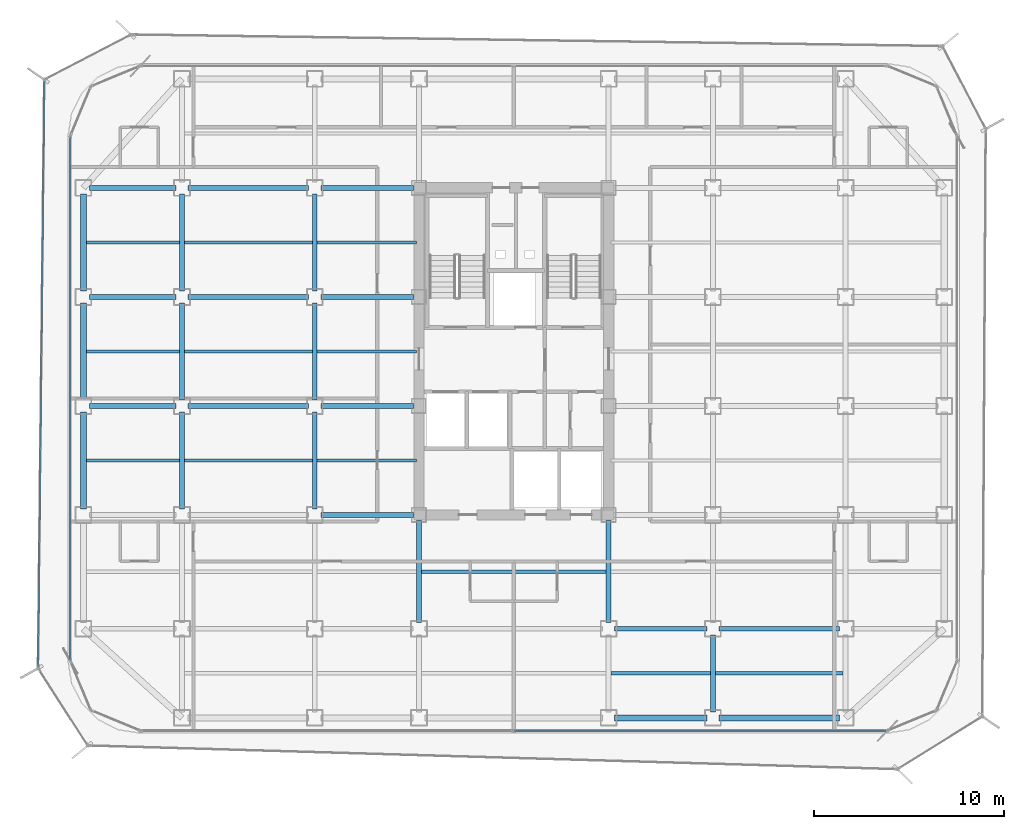
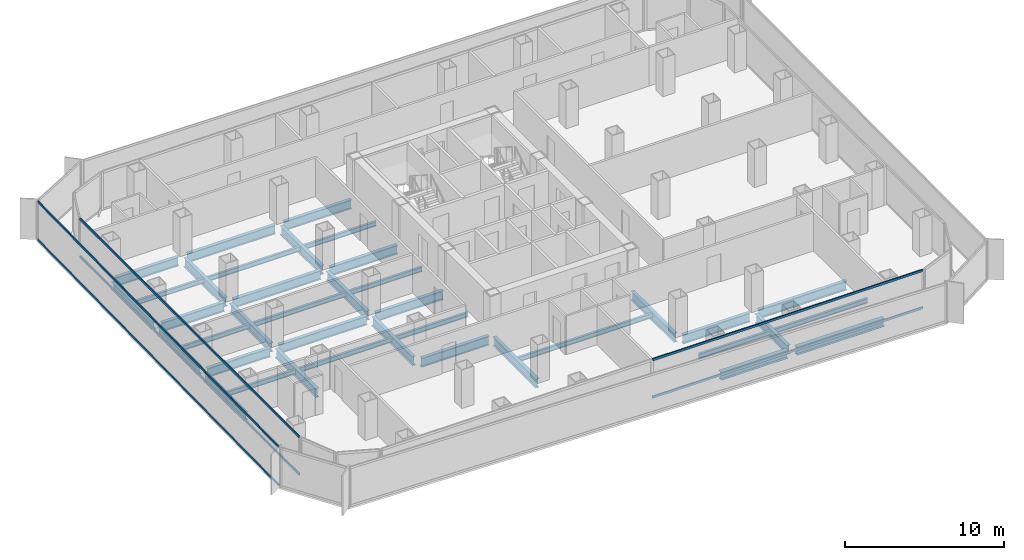
# One storey, part 5 of 21: 38 beams, 6 members, 3 elements without a shape of their own.
"""IFC4 building model written with IfcOpenShell, lengths in metres."""

from ifc_helpers import new_model, si_unit, direction, frame, origin, origin_2d, place, context, subcontext, project, spatial, hollow_rectangle, i_section, extrude, source, transform, mapped, material, layer, layer_set, material_profile, profile_set, type_object, element, aggregate, save


model = new_model("IFC4")

# Units and contexts
model_context = context("Model", 3, precision=1e-05, world=origin(), true_north=direction((0.0, 1.0)))
body_context = subcontext(model_context, "Body", "Model", "MODEL_VIEW")
ifc_project = project(units=[si_unit("LENGTHUNIT", "METRE"), si_unit("AREAUNIT", "SQUARE_METRE"), si_unit("VOLUMEUNIT", "CUBIC_METRE"), si_unit("PLANEANGLEUNIT", "RADIAN"), si_unit("MASSUNIT", "GRAM", prefix="KILO")], contexts=[model_context])

# Site, building, storey
site_placement = place(None, origin())
site = spatial("IfcSite", under=ifc_project, at=site_placement, CompositionType="ELEMENT")
building_placement = place(site_placement, origin())
building = spatial("IfcBuilding", under=site, at=building_placement, Name="Kolveth Station Tower", CompositionType="ELEMENT")
storey_placement = place(building_placement, frame((0.0, 0.0, 131.10009765625)))
storey = spatial("IfcBuildingStorey", under=building, at=storey_placement, Name="L36", CompositionType="ELEMENT", Elevation=131.10009765625)

# Beams
ifc_material_1 = material(Name="Steel S355", Category="steel")
ifc_material_profile_1 = material_profile(ifc_material_1, i_section(OverallWidth=0.323974609375, OverallDepth=0.611083984375, WebThickness=0.0126953125, FlangeThickness=0.01904296875, at=origin_2d()), Name="W610x155")
ifc_profile_set_1 = profile_set([ifc_material_profile_1], Name="Steel S355")
beam_type_1 = type_object("IfcBeamType", Name="Beam_SP2", PredefinedType="SPANDREL", material=ifc_profile_set_1)
shared_shape_1 = source(origin(), body_context, "Body", "SweptSolid", [
    extrude(i_section(OverallWidth=0.323974609375, OverallDepth=0.611083984375, WebThickness=0.0126953125, FlangeThickness=0.01904296875, at=origin_2d()), origin(), (0.0, 0.0, 1.0), 6.35986328125),
])
beam_1_placement = place(storey_placement, frame((34.320068359375, 0.800048828125, -0.5556640625), z_axis=(1.0, 0.0, 0.0), x_axis=(0.0, 1.0, 0.0)))
element("IfcBeam", 1, at=beam_1_placement, inside=storey, type_object=beam_type_1, Name="L36 Perimeter Spandrel BM-L36-PS-5", PredefinedType="SPANDREL", context=body_context, shape_type="MappedRepresentation", body=[
    mapped(shared_shape_1, transform((0.0, 0.0, 0.0), x_axis=(1.0, 0.0, 0.0), y_axis=(0.0, 1.0, 0.0), z_axis=(0.0, 0.0, 1.0), scale=1.0)),
])
shared_shape_2 = source(origin(), body_context, "Body", "SweptSolid", [
    extrude(i_section(OverallWidth=0.323974609375, OverallDepth=0.611083984375, WebThickness=0.0126953125, FlangeThickness=0.01904296875, at=origin_2d()), origin(), (0.0, 0.0, 1.0), 4.85986328125),
])
beam_2_placement = place(storey_placement, frame((28.820068359375, 0.800048828125, -0.5556640625), z_axis=(1.0, 0.0, 0.0), x_axis=(0.0, 1.0, 0.0)))
element("IfcBeam", 2, at=beam_2_placement, inside=storey, type_object=beam_type_1, Name="L36 Perimeter Spandrel BM-L36-PS-4", PredefinedType="SPANDREL", context=body_context, shape_type="MappedRepresentation", body=[
    mapped(shared_shape_2, transform((0.0, 0.0, 0.0), x_axis=(1.0, 0.0, 0.0), y_axis=(0.0, 1.0, 0.0), z_axis=(0.0, 0.0, 1.0), scale=1.0)),
])
shared_shape_3 = source(origin(), body_context, "Body", "SweptSolid", [
    extrude(i_section(OverallWidth=0.323974609375, OverallDepth=0.611083984375, WebThickness=0.0126953125, FlangeThickness=0.01904296875, at=origin_2d()), origin(), (0.0, 0.0, 1.0), 5.10986328125),
])
for number, where, z_axis, x_axis, name in (
    (3, (0.800048828125, 11.820068359375, -0.5556640625), (0.0, 1.0, 0.0), (-1.0, 0.0, 0.0), "L36 Perimeter Spandrel BM-L36-PW-2"),
    (4, (0.800048828125, 17.570068359375, -0.5556640625), (0.0, 1.0, 0.0), (-1.0, 0.0, 0.0), "L36 Perimeter Spandrel BM-L36-PW-3"),
    (5, (0.800048828125, 23.320068359375, -0.5556640625), (0.0, 1.0, 0.0), (-1.0, 0.0, 0.0), "L36 Perimeter Spandrel BM-L36-PW-4"),
):
    element("IfcBeam", number, at=place(storey_placement, frame(where, z_axis=z_axis, x_axis=x_axis)), inside=storey, type_object=beam_type_1, Name=name, PredefinedType="SPANDREL", context=body_context, shape_type="MappedRepresentation", body=[
        mapped(shared_shape_3, transform((0.0, 0.0, 0.0), x_axis=(1.0, 0.0, 0.0), y_axis=(0.0, 1.0, 0.0), z_axis=(0.0, 0.0, 1.0), scale=1.0)),
    ])
ifc_material_profile_2 = material_profile(ifc_material_1, i_section(OverallWidth=0.25390625, OverallDepth=0.68798828125, WebThickness=0.01318359375, FlangeThickness=0.02099609375, at=origin_2d()), Name="W690x152")
ifc_profile_set_2 = profile_set([ifc_material_profile_2], Name="Steel S355")
beam_type_2 = type_object("IfcBeamType", Name="Beam_B4", PredefinedType="BEAM", material=ifc_profile_set_2)
shared_shape_4 = source(origin(), body_context, "Body", "SweptSolid", [
    extrude(i_section(OverallWidth=0.25390625, OverallDepth=0.68798828125, WebThickness=0.01318359375, FlangeThickness=0.02099609375, at=origin_2d()), origin(), (0.0, 0.0, 1.0), 4.559814453125),
])
for number, where, z_axis, x_axis, name in (
    (6, (1.1201171875, 17.25, -0.593994140625), (1.0, 0.0, 0.0), (0.0, 1.0, 0.0), "L36 Primary Girder BM-L36-GY172-1"),
    (7, (1.1201171875, 23.0, -0.593994140625), (1.0, 0.0, 0.0), (0.0, 1.0, 0.0), "L36 Primary Girder BM-L36-GY230-1"),
    (8, (1.1201171875, 28.75, -0.593994140625), (1.0, 0.0, 0.0), (0.0, 1.0, 0.0), "L36 Primary Girder BM-L36-GY287-1"),
):
    element("IfcBeam", number, at=place(storey_placement, frame(where, z_axis=z_axis, x_axis=x_axis)), inside=storey, type_object=beam_type_2, Name=name, PredefinedType="BEAM", context=body_context, shape_type="MappedRepresentation", body=[
        mapped(shared_shape_4, transform((0.0, 0.0, 0.0), x_axis=(1.0, 0.0, 0.0), y_axis=(0.0, 1.0, 0.0), z_axis=(0.0, 0.0, 1.0), scale=1.0)),
    ])
shared_shape_5 = source(origin(), body_context, "Body", "SweptSolid", [
    extrude(i_section(OverallWidth=0.25390625, OverallDepth=0.68798828125, WebThickness=0.01318359375, FlangeThickness=0.02099609375, at=origin_2d()), origin(), (0.0, 0.0, 1.0), 6.35986328125),
])
for number, where, z_axis, x_axis, name in (
    (9, (34.320068359375, 5.5, -0.593994140625), (1.0, 0.0, 0.0), (0.0, 1.0, 0.0), "L36 Primary Girder BM-L36-GY55-6"),
    (10, (6.320068359375, 17.25, -0.593994140625), (1.0, 0.0, 0.0), (0.0, 1.0, 0.0), "L36 Primary Girder BM-L36-GY172-2"),
    (11, (6.320068359375, 23.0, -0.593994140625), (1.0, 0.0, 0.0), (0.0, 1.0, 0.0), "L36 Primary Girder BM-L36-GY230-2"),
    (12, (6.320068359375, 28.75, -0.593994140625), (1.0, 0.0, 0.0), (0.0, 1.0, 0.0), "L36 Primary Girder BM-L36-GY287-2"),
):
    element("IfcBeam", number, at=place(storey_placement, frame(where, z_axis=z_axis, x_axis=x_axis)), inside=storey, type_object=beam_type_2, Name=name, PredefinedType="BEAM", context=body_context, shape_type="MappedRepresentation", body=[
        mapped(shared_shape_5, transform((0.0, 0.0, 0.0), x_axis=(1.0, 0.0, 0.0), y_axis=(0.0, 1.0, 0.0), z_axis=(0.0, 0.0, 1.0), scale=1.0)),
    ])
shared_shape_6 = source(origin(), body_context, "Body", "SweptSolid", [
    extrude(i_section(OverallWidth=0.25390625, OverallDepth=0.68798828125, WebThickness=0.01318359375, FlangeThickness=0.02099609375, at=origin_2d()), origin(), (0.0, 0.0, 1.0), 4.85986328125),
])
beam_3_placement = place(storey_placement, frame((28.820068359375, 5.5, -0.593994140625), z_axis=(1.0, 0.0, 0.0), x_axis=(0.0, 1.0, 0.0)))
element("IfcBeam", 13, at=beam_3_placement, inside=storey, type_object=beam_type_2, Name="L36 Primary Girder BM-L36-GY55-5", PredefinedType="BEAM", context=body_context, shape_type="MappedRepresentation", body=[
    mapped(shared_shape_6, transform((0.0, 0.0, 0.0), x_axis=(1.0, 0.0, 0.0), y_axis=(0.0, 1.0, 0.0), z_axis=(0.0, 0.0, 1.0), scale=1.0)),
])
shared_shape_7 = source(origin(), body_context, "Body", "SweptSolid", [
    extrude(i_section(OverallWidth=0.25390625, OverallDepth=0.68798828125, WebThickness=0.01318359375, FlangeThickness=0.02099609375, at=origin_2d()), origin(), (0.0, 0.0, 1.0), 4.89990234375),
])
for number, where, z_axis, x_axis, name in (
    (14, (13.320068359375, 11.5, -0.593994140625), (1.0, 0.0, 0.0), (0.0, 1.0, 0.0), "L36 Primary Girder BM-L36-GY115-3"),
    (15, (13.320068359375, 17.25, -0.593994140625), (1.0, 0.0, 0.0), (0.0, 1.0, 0.0), "L36 Primary Girder BM-L36-GY172-3"),
    (16, (13.320068359375, 23.0, -0.593994140625), (1.0, 0.0, 0.0), (0.0, 1.0, 0.0), "L36 Primary Girder BM-L36-GY230-3"),
    (17, (13.320068359375, 28.75, -0.593994140625), (1.0, 0.0, 0.0), (0.0, 1.0, 0.0), "L36 Primary Girder BM-L36-GY287-3"),
):
    element("IfcBeam", number, at=place(storey_placement, frame(where, z_axis=z_axis, x_axis=x_axis)), inside=storey, type_object=beam_type_2, Name=name, PredefinedType="BEAM", context=body_context, shape_type="MappedRepresentation", body=[
        mapped(shared_shape_7, transform((0.0, 0.0, 0.0), x_axis=(1.0, 0.0, 0.0), y_axis=(0.0, 1.0, 0.0), z_axis=(0.0, 0.0, 1.0), scale=1.0)),
    ])
shared_shape_8 = source(origin(), body_context, "Body", "SweptSolid", [
    extrude(i_section(OverallWidth=0.25390625, OverallDepth=0.68798828125, WebThickness=0.01318359375, FlangeThickness=0.02099609375, at=origin_2d()), origin(), (0.0, 0.0, 1.0), 4.059814453125),
])
beam_4_placement = place(storey_placement, frame((34.0, 1.1201171875, -0.593994140625), z_axis=(0.0, 1.0, 0.0), x_axis=(-1.0, 0.0, 0.0)))
element("IfcBeam", 18, at=beam_4_placement, inside=storey, type_object=beam_type_2, Name="L36 Primary Girder BM-L36-GX340-1", PredefinedType="BEAM", context=body_context, shape_type="MappedRepresentation", body=[
    mapped(shared_shape_8, transform((0.0, 0.0, 0.0), x_axis=(1.0, 0.0, 0.0), y_axis=(0.0, 1.0, 0.0), z_axis=(0.0, 0.0, 1.0), scale=1.0)),
])
shared_shape_9 = source(origin(), body_context, "Body", "SweptSolid", [
    extrude(i_section(OverallWidth=0.25390625, OverallDepth=0.68798828125, WebThickness=0.01318359375, FlangeThickness=0.02099609375, at=origin_2d()), origin(), (0.0, 0.0, 1.0), 5.10986328125),
])
for number, where, z_axis, x_axis, name in (
    (19, (6.0, 11.820068359375, -0.593994140625), (0.0, 1.0, 0.0), (-1.0, 0.0, 0.0), "L36 Primary Girder BM-L36-GX60-3"),
    (20, (6.0, 17.570068359375, -0.593994140625), (0.0, 1.0, 0.0), (-1.0, 0.0, 0.0), "L36 Primary Girder BM-L36-GX60-4"),
    (21, (6.0, 23.320068359375, -0.593994140625), (0.0, 1.0, 0.0), (-1.0, 0.0, 0.0), "L36 Primary Girder BM-L36-GX60-5"),
    (22, (13.0, 11.820068359375, -0.593994140625), (0.0, 1.0, 0.0), (-1.0, 0.0, 0.0), "L36 Primary Girder BM-L36-GX130-3"),
    (23, (13.0, 17.570068359375, -0.593994140625), (0.0, 1.0, 0.0), (-1.0, 0.0, 0.0), "L36 Primary Girder BM-L36-GX130-4"),
    (24, (13.0, 23.320068359375, -0.593994140625), (0.0, 1.0, 0.0), (-1.0, 0.0, 0.0), "L36 Primary Girder BM-L36-GX130-5"),
):
    element("IfcBeam", number, at=place(storey_placement, frame(where, z_axis=z_axis, x_axis=x_axis)), inside=storey, type_object=beam_type_2, Name=name, PredefinedType="BEAM", context=body_context, shape_type="MappedRepresentation", body=[
        mapped(shared_shape_9, transform((0.0, 0.0, 0.0), x_axis=(1.0, 0.0, 0.0), y_axis=(0.0, 1.0, 0.0), z_axis=(0.0, 0.0, 1.0), scale=1.0)),
    ])
shared_shape_10 = source(origin(), body_context, "Body", "SweptSolid", [
    extrude(i_section(OverallWidth=0.25390625, OverallDepth=0.68798828125, WebThickness=0.01318359375, FlangeThickness=0.02099609375, at=origin_2d()), origin(), (0.0, 0.0, 1.0), 5.39990234375),
])
for number, where, z_axis, x_axis, name in (
    (25, (18.5, 5.820068359375, -0.593994140625), (0.0, 1.0, 0.0), (-1.0, 0.0, 0.0), "L36 Primary Girder BM-L36-GX185-2"),
    (26, (28.5, 5.820068359375, -0.593994140625), (0.0, 1.0, 0.0), (-1.0, 0.0, 0.0), "L36 Primary Girder BM-L36-GX285-2"),
):
    element("IfcBeam", number, at=place(storey_placement, frame(where, z_axis=z_axis, x_axis=x_axis)), inside=storey, type_object=beam_type_2, Name=name, PredefinedType="BEAM", context=body_context, shape_type="MappedRepresentation", body=[
        mapped(shared_shape_10, transform((0.0, 0.0, 0.0), x_axis=(1.0, 0.0, 0.0), y_axis=(0.0, 1.0, 0.0), z_axis=(0.0, 0.0, 1.0), scale=1.0)),
    ])
ifc_material_profile_3 = material_profile(ifc_material_1, i_section(OverallWidth=0.1708984375, OverallDepth=0.35205078125, WebThickness=0.0068359375, FlangeThickness=0.009765625, at=origin_2d()), Name="W360x44")
ifc_profile_set_3 = profile_set([ifc_material_profile_3], Name="Steel S355")
beam_type_3 = type_object("IfcBeamType", Name="Beam_J2", PredefinedType="JOIST", material=ifc_profile_set_3)
shared_shape_11 = source(origin(), body_context, "Body", "SweptSolid", [
    extrude(i_section(OverallWidth=0.1708984375, OverallDepth=0.35205078125, WebThickness=0.0068359375, FlangeThickness=0.009765625, at=origin_2d()), origin(), (0.0, 0.0, 1.0), 4.9150390625),
])
for number, where, z_axis, x_axis, name in (
    (27, (0.9599609375, 14.375, -0.426025390625), (1.0, 0.0, 0.0), (0.0, 1.0, 0.0), "L36 Secondary Joist JST-L36-1-3"),
    (28, (0.9599609375, 20.125, -0.426025390625), (1.0, 0.0, 0.0), (0.0, 1.0, 0.0), "L36 Secondary Joist JST-L36-1-4"),
    (29, (0.9599609375, 25.875, -0.426025390625), (1.0, 0.0, 0.0), (0.0, 1.0, 0.0), "L36 Secondary Joist JST-L36-1-5"),
):
    element("IfcBeam", number, at=place(storey_placement, frame(where, z_axis=z_axis, x_axis=x_axis)), inside=storey, type_object=beam_type_3, Name=name, PredefinedType="JOIST", context=body_context, shape_type="MappedRepresentation", body=[
        mapped(shared_shape_11, transform((0.0, 0.0, 0.0), x_axis=(1.0, 0.0, 0.0), y_axis=(0.0, 1.0, 0.0), z_axis=(0.0, 0.0, 1.0), scale=1.0)),
    ])
shared_shape_12 = source(origin(), body_context, "Body", "SweptSolid", [
    extrude(i_section(OverallWidth=0.1708984375, OverallDepth=0.35205078125, WebThickness=0.0068359375, FlangeThickness=0.009765625, at=origin_2d()), origin(), (0.0, 0.0, 1.0), 6.75),
])
for number, where, z_axis, x_axis, name in (
    (30, (6.125, 14.375, -0.426025390625), (1.0, 0.0, 0.0), (0.0, 1.0, 0.0), "L36 Secondary Joist JST-L36-2-3"),
    (31, (6.125, 20.125, -0.426025390625), (1.0, 0.0, 0.0), (0.0, 1.0, 0.0), "L36 Secondary Joist JST-L36-2-4"),
    (32, (6.125, 25.875, -0.426025390625), (1.0, 0.0, 0.0), (0.0, 1.0, 0.0), "L36 Secondary Joist JST-L36-2-5"),
    (33, (34.125, 3.14990234375, -0.426025390625), (1.0, 0.0, 0.0), (0.0, 1.0, 0.0), "L36 Secondary Joist JST-L36-6-1"),
):
    element("IfcBeam", number, at=place(storey_placement, frame(where, z_axis=z_axis, x_axis=x_axis)), inside=storey, type_object=beam_type_3, Name=name, PredefinedType="JOIST", context=body_context, shape_type="MappedRepresentation", body=[
        mapped(shared_shape_12, transform((0.0, 0.0, 0.0), x_axis=(1.0, 0.0, 0.0), y_axis=(0.0, 1.0, 0.0), z_axis=(0.0, 0.0, 1.0), scale=1.0)),
    ])
shared_shape_13 = source(origin(), body_context, "Body", "SweptSolid", [
    extrude(i_section(OverallWidth=0.1708984375, OverallDepth=0.35205078125, WebThickness=0.0068359375, FlangeThickness=0.009765625, at=origin_2d()), origin(), (0.0, 0.0, 1.0), 5.25),
])
for number, where, z_axis, x_axis, name in (
    (34, (13.125, 14.375, -0.426025390625), (1.0, 0.0, 0.0), (0.0, 1.0, 0.0), "L36 Secondary Joist JST-L36-3-3"),
    (35, (13.125, 20.125, -0.426025390625), (1.0, 0.0, 0.0), (0.0, 1.0, 0.0), "L36 Secondary Joist JST-L36-3-4"),
    (36, (13.125, 25.875, -0.426025390625), (1.0, 0.0, 0.0), (0.0, 1.0, 0.0), "L36 Secondary Joist JST-L36-3-5"),
    (37, (28.625, 3.14990234375, -0.426025390625), (1.0, 0.0, 0.0), (0.0, 1.0, 0.0), "L36 Secondary Joist JST-L36-5-1"),
):
    element("IfcBeam", number, at=place(storey_placement, frame(where, z_axis=z_axis, x_axis=x_axis)), inside=storey, type_object=beam_type_3, Name=name, PredefinedType="JOIST", context=body_context, shape_type="MappedRepresentation", body=[
        mapped(shared_shape_13, transform((0.0, 0.0, 0.0), x_axis=(1.0, 0.0, 0.0), y_axis=(0.0, 1.0, 0.0), z_axis=(0.0, 0.0, 1.0), scale=1.0)),
    ])
shared_shape_14 = source(origin(), body_context, "Body", "SweptSolid", [
    extrude(i_section(OverallWidth=0.1708984375, OverallDepth=0.35205078125, WebThickness=0.0068359375, FlangeThickness=0.009765625, at=origin_2d()), origin(), (0.0, 0.0, 1.0), 9.75),
])
beam_5_placement = place(storey_placement, frame((18.625, 8.5, -0.426025390625), z_axis=(1.0, 0.0, 0.0), x_axis=(0.0, 1.0, 0.0)))
element("IfcBeam", 38, at=beam_5_placement, inside=storey, type_object=beam_type_3, Name="L36 Secondary Joist JST-L36-4-2", PredefinedType="JOIST", context=body_context, shape_type="MappedRepresentation", body=[
    mapped(shared_shape_14, transform((0.0, 0.0, 0.0), x_axis=(1.0, 0.0, 0.0), y_axis=(0.0, 1.0, 0.0), z_axis=(0.0, 0.0, 1.0), scale=1.0)),
])

# Curtain wall, members
ifc_material_2 = material(Name="Aluminium 6063-T6 and low-E dark glass", Category="aluminium")
ifc_layer_1 = layer(ifc_material_2, 0.18994140625)
ifc_layer_set_1 = layer_set([ifc_layer_1], Name="Aluminium 6063-T6 and low-E dark glass")
curtain_wall_type_1 = type_object("IfcCurtainWallType", Name="CurtainWall_CW-Z2", PredefinedType="NOTDEFINED", material=ifc_layer_set_1)
curtain_wall_1_placement = place(storey_placement, origin())
curtain_wall_1 = element("IfcCurtainWall", 39, at=curtain_wall_1_placement, inside=storey, type_object=curtain_wall_type_1, Name="L36 Inner Thermal Curtain Wall 9", PredefinedType="NOTDEFINED")
ifc_material_3 = material(Name="Black anodized aluminium 6063-T6", Category="aluminium")
ifc_material_profile_4 = material_profile(ifc_material_3, hollow_rectangle(XDim=0.080078125, YDim=0.169921875, WallThickness=0.0048828125, at=origin_2d()), Name="ALU-80x170x5")
ifc_profile_set_4 = profile_set([ifc_material_profile_4], Name="Black anodized aluminium 6063-T6")
member_type_1 = type_object("IfcMemberType", Name="Transom_TR2", PredefinedType="USERDEFINED", material=ifc_profile_set_4)
shared_shape_15 = source(origin(), body_context, "Body", "SweptSolid", [
    extrude(hollow_rectangle(XDim=0.080078125, YDim=0.169921875, WallThickness=0.0048828125, at=origin_2d()), origin(), (0.0, 0.0, 1.0), 27.5400390625),
])
member_1_placement = place(storey_placement, frame((0.1201171875, 31.419921875, 0.039794921875), z_axis=(0.0, -1.0, 0.0), x_axis=(1.0, 0.0, 0.0)))
member_1 = element("IfcMember", 40, at=member_1_placement, type_object=member_type_1, Name="CW-Z2 transom 1.1", ObjectType="TRANSOM", PredefinedType="USERDEFINED", context=body_context, shape_type="MappedRepresentation", body=[
    mapped(shared_shape_15, transform((0.0, 0.0, 0.0), x_axis=(1.0, 0.0, 0.0), y_axis=(0.0, 1.0, 0.0), z_axis=(0.0, 0.0, 1.0), scale=1.0)),
])
member_2_placement = place(storey_placement, frame((0.1201171875, 31.419921875, 2.909912109375), z_axis=(0.0, -1.0, 0.0), x_axis=(1.0, 0.0, 0.0)))
member_2 = element("IfcMember", 41, at=member_2_placement, type_object=member_type_1, Name="CW-Z2 transom 1.2", ObjectType="TRANSOM", PredefinedType="USERDEFINED", context=body_context, shape_type="MappedRepresentation", body=[
    mapped(shared_shape_15, transform((0.0, 0.0, 0.0), x_axis=(1.0, 0.0, 0.0), y_axis=(0.0, 1.0, 0.0), z_axis=(0.0, 0.0, 1.0), scale=1.0)),
])
aggregate(curtain_wall_1, [member_1, member_2])

curtain_wall_2_placement = place(storey_placement, origin())
curtain_wall_2 = element("IfcCurtainWall", 42, at=curtain_wall_2_placement, inside=storey, type_object=curtain_wall_type_1, Name="L36 Inner Thermal Curtain Wall 12", PredefinedType="NOTDEFINED")
shared_shape_16 = source(origin(), body_context, "Body", "SweptSolid", [
    extrude(hollow_rectangle(XDim=0.080078125, YDim=0.169921875, WallThickness=0.0048828125, at=origin_2d()), origin(), (0.0, 0.0, 1.0), 19.580078125),
])
member_3_placement = place(storey_placement, frame((23.5400390625, 0.1201171875, 0.039794921875), z_axis=(1.0, 0.0, 0.0), x_axis=(0.0, 1.0, 0.0)))
member_3 = element("IfcMember", 43, at=member_3_placement, type_object=member_type_1, Name="CW-Z2 transom 2.1", ObjectType="TRANSOM", PredefinedType="USERDEFINED", context=body_context, shape_type="MappedRepresentation", body=[
    mapped(shared_shape_16, transform((0.0, 0.0, 0.0), x_axis=(1.0, 0.0, 0.0), y_axis=(0.0, 1.0, 0.0), z_axis=(0.0, 0.0, 1.0), scale=1.0)),
])
member_4_placement = place(storey_placement, frame((23.5400390625, 0.1201171875, 2.909912109375), z_axis=(1.0, 0.0, 0.0), x_axis=(0.0, 1.0, 0.0)))
member_4 = element("IfcMember", 44, at=member_4_placement, type_object=member_type_1, Name="CW-Z2 transom 2.2", ObjectType="TRANSOM", PredefinedType="USERDEFINED", context=body_context, shape_type="MappedRepresentation", body=[
    mapped(shared_shape_16, transform((0.0, 0.0, 0.0), x_axis=(1.0, 0.0, 0.0), y_axis=(0.0, 1.0, 0.0), z_axis=(0.0, 0.0, 1.0), scale=1.0)),
])
aggregate(curtain_wall_2, [member_3, member_4])

ifc_material_4 = material(Name="Black anodized aluminium 6063-T6 and dark solar glass", Category="aluminium")
ifc_layer_2 = layer(ifc_material_4, 0.159912109375)
ifc_layer_set_2 = layer_set([ifc_layer_2], Name="Black anodized aluminium 6063-T6 and dark solar glass")
curtain_wall_type_2 = type_object("IfcCurtainWallType", Name="OUTER SKIN CW-OS", PredefinedType="NOTDEFINED", material=ifc_layer_set_2)
curtain_wall_3_placement = place(storey_placement, origin())
curtain_wall_3 = element("IfcCurtainWall", 45, at=curtain_wall_3_placement, inside=storey, type_object=curtain_wall_type_2, Name="L36 Outer Ventilated Skin Curtain Wall 6", PredefinedType="NOTDEFINED")
ifc_material_profile_5 = material_profile(ifc_material_3, hollow_rectangle(XDim=0.080078125, YDim=0.14990234375, WallThickness=0.0048828125, at=origin_2d()), Name="ALU-80x150x5")
ifc_profile_set_5 = profile_set([ifc_material_profile_5], Name="Black anodized aluminium 6063-T6")
member_type_2 = type_object("IfcMemberType", Name="Transom_TR-OS", PredefinedType="USERDEFINED", material=ifc_profile_set_5)
shared_shape_17 = source(origin(), body_context, "Body", "SweptSolid", [
    extrude(hollow_rectangle(XDim=0.080078125, YDim=0.14990234375, WallThickness=0.0048828125, at=origin_2d()), origin(), (0.0, 0.0, 1.0), 30.855712890625),
])
member_5_placement = place(storey_placement, frame((-1.25341796875, 34.364990234375, 0.039794921875), z_axis=(-0.010713275219, -0.99994261122, 0.0), x_axis=(0.99994261122, -0.010713275219, 0.0)))
member_5 = element("IfcMember", 46, at=member_5_placement, type_object=member_type_2, Name="CW-OS transom 1.1", ObjectType="TRANSOM", PredefinedType="USERDEFINED", context=body_context, shape_type="MappedRepresentation", body=[
    mapped(shared_shape_17, transform((0.0, 0.0, 0.0), x_axis=(1.0, 0.0, 0.0), y_axis=(0.0, 1.0, 0.0), z_axis=(0.0, 0.0, 1.0), scale=1.0)),
])
member_6_placement = place(storey_placement, frame((-1.25341796875, 34.364990234375, 2.949951171875), z_axis=(-0.010713275219, -0.99994261122, 0.0), x_axis=(0.99994261122, -0.010713275219, 0.0)))
member_6 = element("IfcMember", 47, at=member_6_placement, type_object=member_type_2, Name="CW-OS transom 1.2", ObjectType="TRANSOM", PredefinedType="USERDEFINED", context=body_context, shape_type="MappedRepresentation", body=[
    mapped(shared_shape_17, transform((0.0, 0.0, 0.0), x_axis=(1.0, 0.0, 0.0), y_axis=(0.0, 1.0, 0.0), z_axis=(0.0, 0.0, 1.0), scale=1.0)),
])
aggregate(curtain_wall_3, [member_5, member_6])

save(model, "model.ifc")
